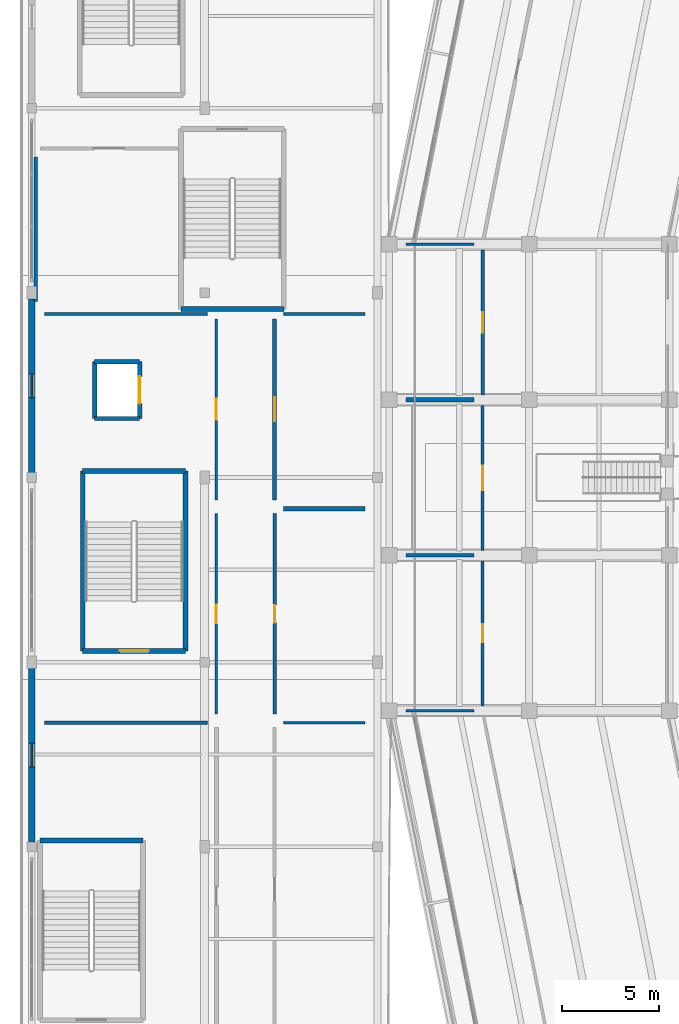
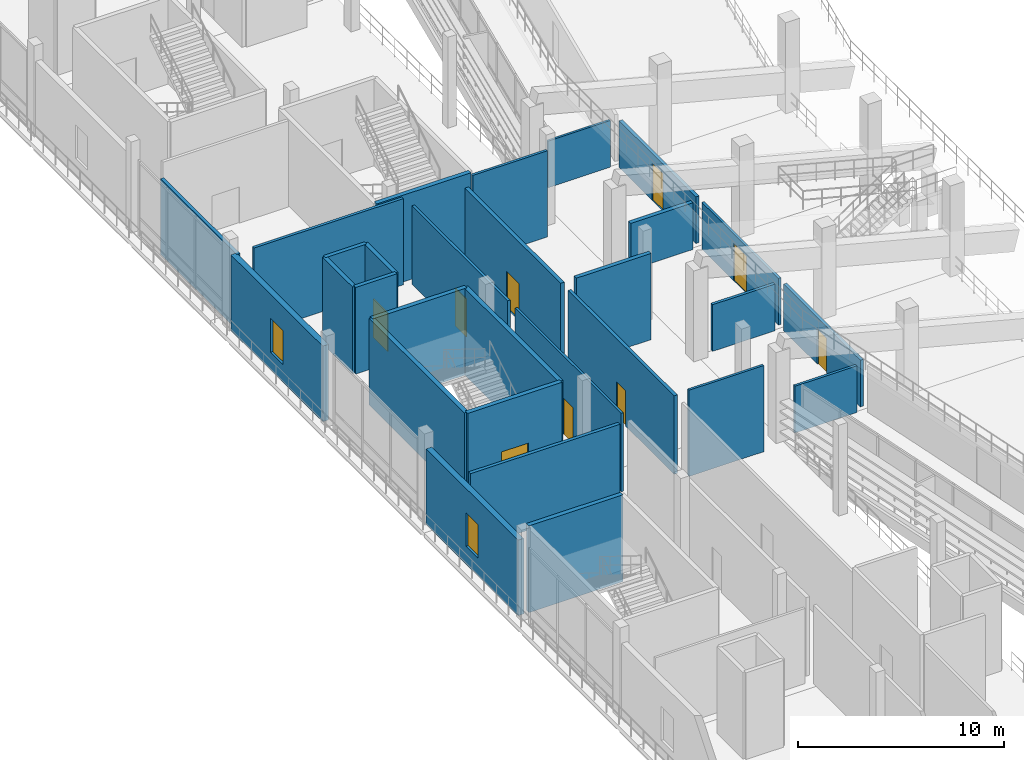
# One storey, part 62 of 96: 29 walls, 9 doors, 2 windows, 11 openings.
"""IFC4 building model written with IfcOpenShell, lengths in metres."""

import ifcopenshell
import ifcopenshell.guid

model = None  # the IFC model being written
_history = None  # IfcOwnerHistory: only IFC2X3 demands one
_inside = {}  # id of a spatial element -> (the spatial element, [elements in it])
_under = {}  # id of a project, library or spatial element -> (it, [spatial elements below it])
_declared = {}  # id of a project -> (the project, [libraries it declares])
_typed = {}  # id of a type object -> (the type object, [elements of that type])
_made_of = {}  # id of a material, layer set ... -> (it, [elements and type objects made of it])


def new_model(schema):
    """Start an empty IFC model of exactly this schema.

    Asked for "IFC4X3", IfcOpenShell would pick the latest addendum, in which some entities
    have other attributes; the version numbers below select the first issue.
    IFC2X3 requires an IfcOwnerHistory on every rooted entity: one is made here for all.
    """
    global model, _history
    if schema == "IFC4X3":
        model = ifcopenshell.file(schema_version=(4, 3, 0, 0))
    else:
        model = ifcopenshell.file(schema=schema)
    _inside.clear()
    _under.clear()
    _declared.clear()
    _typed.clear()
    _made_of.clear()
    _history = None
    if model.schema == "IFC2X3":
        org = make("IfcOrganization", Name="unknown")
        user = make(
            "IfcPersonAndOrganization",
            ThePerson=make("IfcPerson", FamilyName="unknown"),
            TheOrganization=org,
        )
        app = make(
            "IfcApplication",
            ApplicationDeveloper=org,
            Version="unknown",
            ApplicationFullName="unknown",
            ApplicationIdentifier="unknown",
        )
        _history = make(
            "IfcOwnerHistory",
            OwningUser=user,
            OwningApplication=app,
            ChangeAction="ADDED",
            CreationDate=0,
        )
    return model


def make(cls, **values):
    """One entity of the class cls with the attributes given. An attribute that is None is left unset."""
    return model.create_entity(
        cls, **{name: value for name, value in values.items() if value is not None}
    )


def rooted(cls, **values):
    """An entity with a GlobalId (a new one), such as an element, a storey or a relation."""
    return make(cls, GlobalId=ifcopenshell.guid.new(), OwnerHistory=_history, **values)


def si_unit(unit_type, name, prefix=None):
    """IfcSIUnit, for example si_unit("LENGTHUNIT", "METRE", prefix="MILLI")."""
    return make("IfcSIUnit", UnitType=unit_type, Prefix=prefix, Name=name)


def assignment(units):
    """IfcUnitAssignment: the units of a project."""
    return None if units is None else make("IfcUnitAssignment", Units=units)


def point(xyz):
    """IfcCartesianPoint."""
    return None if xyz is None else make("IfcCartesianPoint", Coordinates=xyz)


def direction(xyz):
    """IfcDirection."""
    return None if xyz is None else make("IfcDirection", DirectionRatios=xyz)


def frame(location, z_axis=None, x_axis=None):
    """IfcAxis2Placement3D, a coordinate frame: its origin and axes. An axis left out is left unset."""
    return make(
        "IfcAxis2Placement3D",
        Location=point(location),
        Axis=direction(z_axis),
        RefDirection=direction(x_axis),
    )


def frame_2d(location, x_axis=None):
    """IfcAxis2Placement2D, a coordinate frame in the plane: its origin and x axis."""
    return make(
        "IfcAxis2Placement2D", Location=point(location), RefDirection=direction(x_axis)
    )


def origin():
    """The frame at (0, 0, 0) with its axes left unset."""
    return frame((0.0, 0.0, 0.0))


def place(relative_to, where):
    """IfcLocalPlacement: puts the frame where relative to a parent placement (None: the world)."""
    return make(
        "IfcLocalPlacement", PlacementRelTo=relative_to, RelativePlacement=where
    )


def context(
    kind, dimensions, precision=None, world=None, true_north=None, identifier=None
):
    """IfcGeometricRepresentationContext, for example the 3D "Model" context."""
    return make(
        "IfcGeometricRepresentationContext",
        ContextIdentifier=identifier,
        ContextType=kind,
        CoordinateSpaceDimension=dimensions,
        Precision=precision,
        WorldCoordinateSystem=world,
        TrueNorth=true_north,
    )


def subcontext(parent, identifier, kind, view, scale=None):
    """IfcGeometricRepresentationSubContext, for example "Body" below "Model"."""
    return make(
        "IfcGeometricRepresentationSubContext",
        ContextIdentifier=identifier,
        ContextType=kind,
        ParentContext=parent,
        TargetScale=scale,
        TargetView=view,
    )


def project(units=None, contexts=None):
    """IfcProject with its units and contexts."""
    return rooted(
        "IfcProject",
        Name="project",
        RepresentationContexts=contexts,
        UnitsInContext=assignment(units),
    )


def spatial(cls, under=None, at=None, **own):
    """A site, building, storey or space (cls), placed at a placement, below another one or the project."""
    s = rooted(cls, ObjectPlacement=at, **own)
    if under is not None:
        _under.setdefault(under.id(), (under, []))[1].append(s)
    return s


def profile(cls, at=None, kind="AREA", **sizes):
    """A parametric profile (cls). Its sizes go by their IFC names, for example OverallWidth=200.0."""
    return make(cls, ProfileType=kind, Position=at, **sizes)


def rectangle(**sizes):
    """IfcRectangleProfileDef."""
    return profile("IfcRectangleProfileDef", **sizes)


def extrude(swept, where, along, depth):
    """IfcExtrudedAreaSolid: the profile swept, set in the frame where, extruded along a direction by depth."""
    return make(
        "IfcExtrudedAreaSolid",
        SweptArea=swept,
        Position=where,
        ExtrudedDirection=direction(along),
        Depth=depth,
    )


def shape(context_of_items, identifier, shape_type, items):
    """IfcShapeRepresentation: the items that make up one representation, for example the "Body"."""
    return make(
        "IfcShapeRepresentation",
        ContextOfItems=context_of_items,
        RepresentationIdentifier=identifier,
        RepresentationType=shape_type,
        Items=items,
    )


def material(Name=None, Category=None):
    """IfcMaterial."""
    return make("IfcMaterial", Name=Name, Category=Category)


def layer(
    of_material, thickness, ventilated=None, Name=None, Category=None, Priority=None
):
    """IfcMaterialLayer: one layer of a wall or slab, of a material (None: an air gap)."""
    return make(
        "IfcMaterialLayer",
        Material=of_material,
        LayerThickness=thickness,
        IsVentilated=ventilated,
        Name=Name,
        Category=Category,
        Priority=Priority,
    )


def layer_set(layers, Name=None):
    """IfcMaterialLayerSet."""
    return make("IfcMaterialLayerSet", MaterialLayers=layers, LayerSetName=Name)


def made_of(thing, what):
    """Note that an element or type object is made of a material, layer set ...; save() writes the relation."""
    if what is not None:
        _made_of.setdefault(what.id(), (what, []))[1].append(thing)
    return thing


def type_object(cls, material=None, **own):
    """A type object (cls), such as IfcWallType, which elements share."""
    return made_of(rooted(cls, **own), material)


def element(
    cls,
    number,
    at=None,
    inside=None,
    cuts=None,
    type_object=None,
    material=None,
    context=None,
    identifier="Body",
    shape_type=None,
    held_by="IfcProductDefinitionShape",
    body=None,
    shapes=None,
    **own,
):
    """One element of the class cls, such as IfcWall. Its Tag is "e" and its number.

    at: its placement. inside: the storey or other place that contains it. cuts: it is an
    opening in that element (IfcRelVoidsElement). A single representation is given by context,
    identifier, shape_type and body (its items); several are given by shapes. held_by: the class
    of the entity that holds the representations. save() writes the other relations.
    """
    e = rooted(cls, Tag="e%d" % number, ObjectPlacement=at, **own)
    if body is not None:
        shapes = [shape(context, identifier, shape_type, body)]
    if shapes is not None:
        e.Representation = make(held_by, Representations=shapes)
    if inside is not None:
        _inside.setdefault(inside.id(), (inside, []))[1].append(e)
    if cuts is not None:
        rooted(
            "IfcRelVoidsElement", RelatingBuildingElement=cuts, RelatedOpeningElement=e
        )
    if type_object is not None:
        _typed.setdefault(type_object.id(), (type_object, []))[1].append(e)
    return made_of(e, material)


def fill(opening, filler):
    """IfcRelFillsElement: the door or window that sits in an opening."""
    return rooted(
        "IfcRelFillsElement",
        RelatingOpeningElement=opening,
        RelatedBuildingElement=filler,
    )


def aggregate(whole, parts):
    """IfcRelAggregates: a whole, such as a stair, and the parts it consists of."""
    return rooted("IfcRelAggregates", RelatingObject=whole, RelatedObjects=parts)


def save(model, path):
    """Write the relations noted so far, then the file.

    IfcRelAggregates (storeys below a building ...), IfcRelContainedInSpatialStructure (elements
    in a storey), IfcRelDefinesByType, IfcRelAssociatesMaterial and IfcRelDeclares: one each for
    every whole, place, type object, material and project.
    """
    for whole, parts in _under.values():
        aggregate(whole, parts)
    for where, things in _inside.values():
        rooted(
            "IfcRelContainedInSpatialStructure",
            RelatedElements=things,
            RelatingStructure=where,
        )
    for kind, things in _typed.values():
        rooted("IfcRelDefinesByType", RelatedObjects=things, RelatingType=kind)
    for what, things in _made_of.values():
        rooted("IfcRelAssociatesMaterial", RelatedObjects=things, RelatingMaterial=what)
    for by, libraries in _declared.values():
        rooted("IfcRelDeclares", RelatingContext=by, RelatedDefinitions=libraries)
    model.write(path)


model = new_model("IFC4")

# Units and contexts
model_context = context("Model", 3, precision=1e-05, world=origin(), true_north=direction((0.0, 1.0)))
body_context = subcontext(model_context, "Body", "Model", "MODEL_VIEW")
ifc_project = project(units=[si_unit("LENGTHUNIT", "METRE"), si_unit("AREAUNIT", "SQUARE_METRE"), si_unit("VOLUMEUNIT", "CUBIC_METRE"), si_unit("PLANEANGLEUNIT", "RADIAN"), si_unit("MASSUNIT", "GRAM", prefix="KILO")], contexts=[model_context])

# Site, building, storey
site_placement = place(None, origin())
site = spatial("IfcSite", under=ifc_project, at=site_placement, CompositionType="ELEMENT")
building_placement = place(site_placement, origin())
building = spatial("IfcBuilding", under=site, at=building_placement, Name="Candeia Ridge Stadium", CompositionType="ELEMENT")
storey_placement = place(building_placement, frame((0.0, 0.0, 21.60009765625)))
storey = spatial("IfcBuildingStorey", under=building, at=storey_placement, Name="L04", CompositionType="ELEMENT", Elevation=21.60009765625)

# Walls
ifc_material_1 = material(Name="Gypsum Metal-Stud Partition", Category="gypsum")
ifc_layer_1 = layer(ifc_material_1, 0.14501953125, Name="Gypsum Metal-Stud Partition", Category="gypsum")
ifc_layer_set_1 = layer_set([ifc_layer_1], Name="Gypsum Metal-Stud Partition")
wall_type_1 = type_object("IfcWallType", Name="Athlete Recovery Partition 145", PredefinedType="PARTITIONING", material=ifc_layer_set_1)
wall_1_placement = place(storey_placement, frame((13.550048828125, 91.416015625, 0.0), z_axis=(0.0, 0.0, 1.0), x_axis=(1.0, 0.0, 0.0)))
element("IfcWall", 1, at=wall_1_placement, inside=storey, type_object=wall_type_1, Name="Demising partition PT-L04-0637", PredefinedType="PARTITIONING", context=body_context, shape_type="SweptSolid", body=[
    extrude(rectangle(XDim=4.199951171875, YDim=0.14501953125, at=frame_2d((2.10009765625, 0.0))), origin(), (0.0, 0.0, 1.0), 5.119873046875),
])
wall_2_placement = place(storey_placement, frame((23.35009765625, 71.0, 0.0), z_axis=(0.0, 0.0, 1.0), x_axis=(-1.0, 0.0, 0.0)))
element("IfcWall", 2, at=wall_2_placement, inside=storey, type_object=wall_type_1, Name="Demising partition PT-L04-0651", PredefinedType="PARTITIONING", context=body_context, shape_type="SweptSolid", body=[
    extrude(rectangle(XDim=3.5, YDim=0.14501953125, at=frame_2d((1.75, 0.0))), origin(), (0.0, 0.0, 1.0), 2.772216796875),
])
ifc_material_2 = material(Name="Gypsum Acoustic Twin-Stud Assembly", Category="gypsum")
ifc_layer_2 = layer(ifc_material_2, 0.159912109375, Name="Gypsum Acoustic Twin-Stud Assembly", Category="gypsum")
ifc_layer_set_2 = layer_set([ifc_layer_2], Name="Gypsum Acoustic Twin-Stud Assembly")
wall_type_2 = type_object("IfcWallType", Name="Club Dining Acoustic Partition 160", PredefinedType="PARTITIONING", material=ifc_layer_set_2)
wall_3_placement = place(storey_placement, frame((1.25, 91.416015625, 0.0), z_axis=(0.0, 0.0, 1.0), x_axis=(1.0, 0.0, 0.0)))
element("IfcWall", 3, at=wall_3_placement, inside=storey, type_object=wall_type_2, Name="Demising partition PT-L04-0635", PredefinedType="PARTITIONING", context=body_context, shape_type="SweptSolid", body=[
    extrude(rectangle(XDim=8.39990234375, YDim=0.159912109375, at=frame_2d((4.199951171875, 0.0))), origin(), (0.0, 0.0, 1.0), 5.119873046875),
])
wall_4_placement = place(storey_placement, frame((23.35009765625, 79.0, 0.0), z_axis=(0.0, 0.0, 1.0), x_axis=(-1.0, 0.0, 0.0)))
element("IfcWall", 4, at=wall_4_placement, inside=storey, type_object=wall_type_2, Name="Demising partition PT-L04-0649", PredefinedType="PARTITIONING", context=body_context, shape_type="SweptSolid", body=[
    extrude(rectangle(XDim=3.5, YDim=0.159912109375, at=frame_2d((1.75, 0.0))), origin(), (0.0, 0.0, 1.0), 2.772216796875),
])

# Wall, opening, door
ifc_material_3 = material(Name="Concrete Masonry Blockwork C25/30", Category="masonry")
ifc_layer_3 = layer(ifc_material_3, 0.14990234375, Name="Concrete Masonry Blockwork C25/30", Category="masonry")
ifc_layer_set_3 = layer_set([ifc_layer_3], Name="Concrete Masonry Blockwork C25/30")
wall_type_3 = type_object("IfcWallType", Name="Concourse Kiosk Partition 150", PredefinedType="PARTITIONING", material=ifc_layer_set_3)
wall_5_placement = place(storey_placement, frame((10.10009765625, 91.166015625, 0.0), z_axis=(0.0, 0.0, 1.0), x_axis=(0.0, -1.0, 0.0)))
wall_5 = element("IfcWall", 5, at=wall_5_placement, inside=storey, type_object=wall_type_3, Name="Interior partition PT-L04-0634", PredefinedType="PARTITIONING", context=body_context, shape_type="SweptSolid", body=[
    extrude(rectangle(XDim=9.319091796875, YDim=0.14990234375, at=frame_2d((4.65966796875, 0.0))), origin(), (0.0, 0.0, 1.0), 4.666015625),
])
opening_1_placement = place(wall_5_placement, frame((4.119384765625, 0.0, 0.0)))
opening_1 = element("IfcOpeningElement", 6, at=opening_1_placement, cuts=wall_5, Name="Opening ID08", PredefinedType="OPENING", context=body_context, shape_type="SweptSolid", body=[
    extrude(rectangle(XDim=1.080078125, YDim=2.25, at=frame_2d((0.5400390625, 1.125))), frame((0.0, 0.0849609375, 0.0), z_axis=(0.0, -1.0, 0.0), x_axis=(1.0, 0.0, 0.0)), (0.0, 0.0, 1.0), 0.169921875),
])
ifc_material_4 = material(Name="Western Red Cedar Acoustic Veneer", Category="wood")
door_type_1 = type_object("IfcDoorType", Name="Executive Skybox Entry Door 1080x2250", OperationType="NOTDEFINED", PredefinedType="DOOR", material=ifc_material_4)
door_1_placement = place(opening_1_placement, origin())
door_1 = element("IfcDoor", 7, at=door_1_placement, inside=storey, type_object=door_type_1, Name="Interior room door D-L04-0326", OperationType="SINGLE_SWING_LEFT", OverallHeight=2.25, OverallWidth=1.080078125, PredefinedType="DOOR", context=body_context, shape_type="SweptSolid", body=[
    extrude(rectangle(XDim=1.080078125, YDim=2.25, at=frame_2d((0.5400390625, 1.125))), frame((0.0, 0.02490234375, 0.0), z_axis=(0.0, -1.0, 0.0), x_axis=(1.0, 0.0, 0.0)), (0.0, 0.0, 1.0), 0.050048828125),
])
fill(opening_1, door_1)

# Walls
ifc_material_5 = material(Name="Concrete C40/50", Category="concrete")
ifc_layer_4 = layer(ifc_material_5, 0.25, Name="Concrete C40/50", Category="concrete")
ifc_layer_set_4 = layer_set([ifc_layer_4], Name="Concrete C40/50")
wall_type_4 = type_object("IfcWallType", Name="Core Shear Wall Concrete 250", PredefinedType="SHEAR", material=ifc_layer_set_4)
wall_6_placement = place(storey_placement, frame((6.32470703125, 64.32470703125, 0.0), z_axis=(0.0, 0.0, 1.0), x_axis=(-1.0, 0.0, 0.0)))
element("IfcWall", 8, at=wall_6_placement, inside=storey, type_object=wall_type_4, Name="Core C05 far shear wall L04", PredefinedType="SHEAR", context=body_context, shape_type="SweptSolid", body=[
    extrude(rectangle(XDim=5.29931640625, YDim=0.25, at=frame_2d((2.649658203125, 0.0))), origin(), (0.0, 0.0, 1.0), 5.14990234375),
])
wall_7_placement = place(storey_placement, frame((8.524658203125, 74.075439453125, 0.0), z_axis=(0.0, 0.0, 1.0), x_axis=(0.0, 1.0, 0.0)))
element("IfcWall", 9, at=wall_7_placement, inside=storey, type_object=wall_type_4, Name="Core C07 left shear wall L04", PredefinedType="SHEAR", context=body_context, shape_type="SweptSolid", body=[
    extrude(rectangle(XDim=9.249267578125, YDim=0.25, at=frame_2d((4.62451171875, 0.0))), origin(), (0.0, 0.0, 1.0), 5.14990234375),
])
wall_8_placement = place(storey_placement, frame((8.524658203125, 83.32470703125, 0.0), z_axis=(0.0, 0.0, 1.0), x_axis=(-1.0, 0.0, 0.0)))
element("IfcWall", 10, at=wall_8_placement, inside=storey, type_object=wall_type_4, Name="Core C07 far shear wall L04", PredefinedType="SHEAR", context=body_context, shape_type="SweptSolid", body=[
    extrude(rectangle(XDim=5.29931640625, YDim=0.25, at=frame_2d((2.649658203125, 0.0))), origin(), (0.0, 0.0, 1.0), 5.14990234375),
])
wall_9_placement = place(storey_placement, frame((3.225341796875, 83.32470703125, 0.0), z_axis=(0.0, 0.0, 1.0), x_axis=(0.0, -1.0, 0.0)))
element("IfcWall", 11, at=wall_9_placement, inside=storey, type_object=wall_type_4, Name="Core C07 right shear wall L04", PredefinedType="SHEAR", context=body_context, shape_type="SweptSolid", body=[
    extrude(rectangle(XDim=9.249267578125, YDim=0.25, at=frame_2d((4.62451171875, 0.0))), origin(), (0.0, 0.0, 1.0), 5.14990234375),
])

# Wall, opening, door
wall_10_placement = place(storey_placement, frame((3.225341796875, 74.075439453125, 0.0), z_axis=(0.0, 0.0, 1.0), x_axis=(1.0, 0.0, 0.0)))
wall_10 = element("IfcWall", 12, at=wall_10_placement, inside=storey, type_object=wall_type_4, Name="Core C07 near shear wall L04", PredefinedType="SHEAR", context=body_context, shape_type="SweptSolid", body=[
    extrude(rectangle(XDim=5.29931640625, YDim=0.25, at=frame_2d((2.649658203125, 0.0))), origin(), (0.0, 0.0, 1.0), 5.14990234375),
])
opening_2_placement = place(wall_10_placement, frame((1.899658203125, 0.0, 0.0)))
opening_2 = element("IfcOpeningElement", 13, at=opening_2_placement, cuts=wall_10, Name="Opening FD01", PredefinedType="OPENING", context=body_context, shape_type="SweptSolid", body=[
    extrude(rectangle(XDim=1.5, YDim=2.199951171875, at=frame_2d((0.75, 1.10009765625))), frame((0.0, 0.135009765625, 0.0), z_axis=(0.0, -1.0, 0.0), x_axis=(1.0, 0.0, 0.0)), (0.0, 0.0, 1.0), 0.27001953125),
])
ifc_material_6 = material(Name="Galvanized Fire-Rated Steel", Category="steel")
door_type_2 = type_object("IfcDoorType", Name="Exit Stair Core Fire Door 1500x2200", OperationType="NOTDEFINED", PredefinedType="DOOR", material=ifc_material_6)
door_2_placement = place(opening_2_placement, origin())
door_2 = element("IfcDoor", 14, at=door_2_placement, inside=storey, type_object=door_type_2, Name="Exit stair fire door SD-ST07-L04", OperationType="DOUBLE_DOOR_SINGLE_SWING", OverallHeight=2.199951171875, OverallWidth=1.5, PredefinedType="DOOR", context=body_context, shape_type="SweptSolid", body=[
    extrude(rectangle(XDim=1.5, YDim=2.199951171875, at=frame_2d((0.75, 1.10009765625))), frame((0.0, 0.02490234375, 0.0), z_axis=(0.0, -1.0, 0.0), x_axis=(1.0, 0.0, 0.0)), (0.0, 0.0, 1.0), 0.050048828125),
])
fill(opening_2, door_2)

# Wall
wall_11_placement = place(storey_placement, frame((8.275390625, 91.67529296875, 0.0), z_axis=(0.0, 0.0, 1.0), x_axis=(1.0, 0.0, 0.0)))
element("IfcWall", 15, at=wall_11_placement, inside=storey, type_object=wall_type_4, Name="Core C08 far shear wall L04", PredefinedType="SHEAR", context=body_context, shape_type="SweptSolid", body=[
    extrude(rectangle(XDim=5.29931640625, YDim=0.25, at=frame_2d((2.649658203125, 0.0))), origin(), (0.0, 0.0, 1.0), 5.14990234375),
])

# Wall, opening, door
ifc_layer_5 = layer(ifc_material_2, 0.179931640625, Name="Gypsum Acoustic Twin-Stud Assembly", Category="gypsum")
ifc_layer_set_5 = layer_set([ifc_layer_5], Name="Gypsum Acoustic Twin-Stud Assembly")
wall_type_5 = type_object("IfcWallType", Name="Corridor Fire Partition 180", PredefinedType="PARTITIONING", material=ifc_layer_set_5)
wall_12_placement = place(storey_placement, frame((13.10009765625, 70.825927734375, 0.0), z_axis=(0.0, 0.0, 1.0), x_axis=(0.0, 1.0, 0.0)))
wall_12 = element("IfcWall", 16, at=wall_12_placement, inside=storey, type_object=wall_type_5, Name="Interior partition PT-L04-0632", PredefinedType="PARTITIONING", context=body_context, shape_type="SweptSolid", body=[
    extrude(rectangle(XDim=10.321044921875, YDim=0.179931640625, at=frame_2d((5.16064453125, 0.0))), origin(), (0.0, 0.0, 1.0), 4.666015625),
])
opening_3_placement = place(wall_12_placement, frame((4.71044921875, 0.0, 0.0)))
opening_3 = element("IfcOpeningElement", 17, at=opening_3_placement, cuts=wall_12, Name="Opening ID07", PredefinedType="OPENING", context=body_context, shape_type="SweptSolid", body=[
    extrude(rectangle(XDim=0.89990234375, YDim=2.10009765625, at=frame_2d((0.449951171875, 1.050048828125))), frame((0.0, 0.099853515625, 0.0), z_axis=(0.0, -1.0, 0.0), x_axis=(1.0, 0.0, 0.0)), (0.0, 0.0, 1.0), 0.199951171875),
])
ifc_material_7 = material(Name="Moisture-Resistant Laminate", Category="wood")
door_type_3 = type_object("IfcDoorType", Name="Sanitary Lobby Single Door 900x2100", OperationType="NOTDEFINED", PredefinedType="DOOR", material=ifc_material_7)
door_3_placement = place(opening_3_placement, frame((0.89990234375, 0.0, 0.0), z_axis=(0.0, 0.0, 1.0), x_axis=(-1.0, 0.0, 0.0)))
door_3 = element("IfcDoor", 18, at=door_3_placement, inside=storey, type_object=door_type_3, Name="Interior room door D-L04-0325", OperationType="SINGLE_SWING_RIGHT", OverallHeight=2.10009765625, OverallWidth=0.89990234375, PredefinedType="DOOR", context=body_context, shape_type="SweptSolid", body=[
    extrude(rectangle(XDim=0.89990234375, YDim=2.10009765625, at=frame_2d((0.449951171875, 1.050048828125))), frame((0.0, 0.02490234375, 0.0), z_axis=(0.0, -1.0, 0.0), x_axis=(1.0, 0.0, 0.0)), (0.0, 0.0, 1.0), 0.050048828125),
])
fill(opening_3, door_3)

wall_13_placement = place(storey_placement, frame((23.800048828125, 94.7099609375, 0.0), z_axis=(0.0, 0.0, 1.0), x_axis=(0.0, -1.0, 0.0)))
wall_13 = element("IfcWall", 19, at=wall_13_placement, inside=storey, type_object=wall_type_5, Name="Interior partition PT-L04-0646", PredefinedType="PARTITIONING", context=body_context, shape_type="SweptSolid", body=[
    extrude(rectangle(XDim=7.4599609375, YDim=0.179931640625, at=frame_2d((3.72998046875, 0.0))), origin(), (0.0, 0.0, 1.0), 2.772216796875),
])
opening_4_placement = place(wall_13_placement, frame((3.205078125, 0.0, 0.0)))
opening_4 = element("IfcOpeningElement", 20, at=opening_4_placement, cuts=wall_13, Name="Opening ID01", PredefinedType="OPENING", context=body_context, shape_type="SweptSolid", body=[
    extrude(rectangle(XDim=1.050048828125, YDim=2.199951171875, at=frame_2d((0.52490234375, 1.10009765625))), frame((0.0, 0.099853515625, 0.0), z_axis=(0.0, -1.0, 0.0), x_axis=(1.0, 0.0, 0.0)), (0.0, 0.0, 1.0), 0.199951171875),
])
door_type_4 = type_object("IfcDoorType", Name="Hospitality Suite Entrance Door 1050x2200", OperationType="NOTDEFINED", PredefinedType="DOOR", material=ifc_material_4)
door_4_placement = place(opening_4_placement, origin())
door_4 = element("IfcDoor", 21, at=door_4_placement, inside=storey, type_object=door_type_4, Name="Interior room door D-L04-0332", OperationType="SINGLE_SWING_RIGHT", OverallHeight=2.199951171875, OverallWidth=1.050048828125, PredefinedType="DOOR", context=body_context, shape_type="SweptSolid", body=[
    extrude(rectangle(XDim=1.050048828125, YDim=2.199951171875, at=frame_2d((0.52490234375, 1.10009765625))), frame((0.0, 0.02490234375, 0.0), z_axis=(0.0, -1.0, 0.0), x_axis=(1.0, 0.0, 0.0)), (0.0, 0.0, 1.0), 0.050048828125),
])
fill(opening_4, door_4)

# Walls
ifc_material_8 = material(Name="Moisture-Resistant Masonry & Tile", Category="masonry")
ifc_layer_6 = layer(ifc_material_8, 0.22998046875, Name="Moisture-Resistant Masonry & Tile", Category="masonry")
ifc_layer_set_6 = layer_set([ifc_layer_6], Name="Moisture-Resistant Masonry & Tile")
wall_type_6 = type_object("IfcWallType", Name="Dressing Suite Wet-Wall Chase 230", PredefinedType="PLUMBINGWALL", material=ifc_layer_set_6)
wall_14_placement = place(storey_placement, frame((13.550048828125, 81.39697265625, 0.0), z_axis=(0.0, 0.0, 1.0), x_axis=(1.0, 0.0, 0.0)))
element("IfcWall", 22, at=wall_14_placement, inside=storey, type_object=wall_type_6, Name="Demising partition PT-L04-0633", PredefinedType="PLUMBINGWALL", context=body_context, shape_type="SweptSolid", body=[
    extrude(rectangle(XDim=4.199951171875, YDim=0.22998046875, at=frame_2d((2.10009765625, 0.0))), origin(), (0.0, 0.0, 1.0), 5.119873046875),
])
wall_15_placement = place(storey_placement, frame((23.35009765625, 87.0, 0.0), z_axis=(0.0, 0.0, 1.0), x_axis=(-1.0, 0.0, 0.0)))
element("IfcWall", 23, at=wall_15_placement, inside=storey, type_object=wall_type_6, Name="Demising partition PT-L04-0647", PredefinedType="PLUMBINGWALL", context=body_context, shape_type="SweptSolid", body=[
    extrude(rectangle(XDim=3.5, YDim=0.22998046875, at=frame_2d((1.75, 0.0))), origin(), (0.0, 0.0, 1.0), 2.772216796875),
])

# Wall, opening, window
ifc_material_9 = material(Name="Concrete C35/45", Category="concrete")
ifc_layer_7 = layer(ifc_material_9, 0.320068359375, Name="Concrete C35/45", Category="concrete")
ifc_layer_set_7 = layer_set([ifc_layer_7], Name="Concrete C35/45")
wall_type_7 = type_object("IfcWallType", Name="Exterior Cedar-Clad Insulated Wall 320", PredefinedType="SOLIDWALL", material=ifc_layer_set_7)
wall_16_placement = place(storey_placement, frame((0.60009765625, 64.238037109375, 0.0), z_axis=(0.0, 0.0, 1.0), x_axis=(0.0, 1.0, 0.0)))
wall_16 = element("IfcWall", 24, at=wall_16_placement, inside=storey, type_object=wall_type_7, Name="Exterior facade wall EW-L04-0101", PredefinedType="SOLIDWALL", context=body_context, shape_type="SweptSolid", body=[
    extrude(rectangle(XDim=8.948974609375, YDim=0.320068359375, at=frame_2d((4.474609375, 0.0))), origin(), (0.0, 0.0, 1.0), 4.48486328125),
])
opening_5_placement = place(wall_16_placement, frame((3.87451171875, 0.0, 1.050048828125)))
opening_5 = element("IfcOpeningElement", 25, at=opening_5_placement, cuts=wall_16, Name="Opening W16", PredefinedType="OPENING", context=body_context, shape_type="SweptSolid", body=[
    extrude(rectangle(XDim=1.199951171875, YDim=2.0, at=frame_2d((0.60009765625, 1.0))), frame((0.0, 0.169921875, 0.0), z_axis=(0.0, -1.0, 0.0), x_axis=(1.0, 0.0, 0.0)), (0.0, 0.0, 1.0), 0.340087890625),
])
ifc_material_10 = material(Name="Tempered Solar-Control Double Glazing", Category="glass")
window_type = type_object("IfcWindowType", Name="Stair Core Daylight Window 1200x2000", PartitioningType="SINGLE_PANEL", PredefinedType="WINDOW", material=ifc_material_10)
window_1_placement = place(opening_5_placement, origin())
window_1 = element("IfcWindow", 26, at=window_1_placement, inside=storey, type_object=window_type, Name="Exterior window WIN-L04-054", OverallHeight=2.0, OverallWidth=1.199951171875, PartitioningType="SINGLE_PANEL", PredefinedType="WINDOW", context=body_context, shape_type="SweptSolid", body=[
    extrude(rectangle(XDim=1.199951171875, YDim=2.0, at=frame_2d((0.60009765625, 1.0))), frame((0.0, 0.030029296875, 0.0), z_axis=(0.0, -1.0, 0.0), x_axis=(1.0, 0.0, 0.0)), (0.0, 0.0, 1.0), 0.06005859375),
])
fill(opening_5, window_1)

wall_17_placement = place(storey_placement, frame((0.60009765625, 83.238037109375, 0.0), z_axis=(0.0, 0.0, 1.0), x_axis=(0.0, 1.0, 0.0)))
wall_17 = element("IfcWall", 27, at=wall_17_placement, inside=storey, type_object=wall_type_7, Name="Exterior facade wall EW-L04-0102", PredefinedType="SOLIDWALL", context=body_context, shape_type="SweptSolid", body=[
    extrude(rectangle(XDim=8.948974609375, YDim=0.320068359375, at=frame_2d((4.474609375, 0.0))), origin(), (0.0, 0.0, 1.0), 4.48486328125),
])
opening_6_placement = place(wall_17_placement, frame((3.87451171875, 0.0, 1.050048828125)))
opening_6 = element("IfcOpeningElement", 28, at=opening_6_placement, cuts=wall_17, Name="Opening W16", PredefinedType="OPENING", context=body_context, shape_type="SweptSolid", body=[
    extrude(rectangle(XDim=1.199951171875, YDim=2.0, at=frame_2d((0.60009765625, 1.0))), frame((0.0, 0.169921875, 0.0), z_axis=(0.0, -1.0, 0.0), x_axis=(1.0, 0.0, 0.0)), (0.0, 0.0, 1.0), 0.340087890625),
])
window_2_placement = place(opening_6_placement, origin())
window_2 = element("IfcWindow", 29, at=window_2_placement, inside=storey, type_object=window_type, Name="Exterior window WIN-L04-055", OverallHeight=2.0, OverallWidth=1.199951171875, PartitioningType="SINGLE_PANEL", PredefinedType="WINDOW", context=body_context, shape_type="SweptSolid", body=[
    extrude(rectangle(XDim=1.199951171875, YDim=2.0, at=frame_2d((0.60009765625, 1.0))), frame((0.0, 0.030029296875, 0.0), z_axis=(0.0, -1.0, 0.0), x_axis=(1.0, 0.0, 0.0)), (0.0, 0.0, 1.0), 0.06005859375),
])
fill(opening_6, window_2)

# Wall
ifc_layer_8 = layer(ifc_material_1, 0.135009765625, Name="Gypsum Metal-Stud Partition", Category="gypsum")
ifc_layer_set_8 = layer_set([ifc_layer_8], Name="Gypsum Metal-Stud Partition")
wall_type_8 = type_object("IfcWallType", Name="General Room Partition 135", PredefinedType="PARTITIONING", material=ifc_layer_set_8)
wall_18_placement = place(storey_placement, frame((13.550048828125, 70.3759765625, 0.0), z_axis=(0.0, 0.0, 1.0), x_axis=(1.0, 0.0, 0.0)))
element("IfcWall", 30, at=wall_18_placement, inside=storey, type_object=wall_type_8, Name="Demising partition PT-L04-0630", PredefinedType="PARTITIONING", context=body_context, shape_type="SweptSolid", body=[
    extrude(rectangle(XDim=4.199951171875, YDim=0.135009765625, at=frame_2d((2.10009765625, 0.0))), origin(), (0.0, 0.0, 1.0), 5.119873046875),
])

# Wall, opening, door
wall_19_placement = place(storey_placement, frame((23.800048828125, 86.7099609375, 0.0), z_axis=(0.0, 0.0, 1.0), x_axis=(0.0, -1.0, 0.0)))
wall_19 = element("IfcWall", 31, at=wall_19_placement, inside=storey, type_object=wall_type_8, Name="Interior partition PT-L04-0648", PredefinedType="PARTITIONING", context=body_context, shape_type="SweptSolid", body=[
    extrude(rectangle(XDim=7.4599609375, YDim=0.135009765625, at=frame_2d((3.72998046875, 0.0))), origin(), (0.0, 0.0, 1.0), 2.772216796875),
])
opening_7_placement = place(wall_19_placement, frame((3.10498046875, 0.0, 0.0)))
opening_7 = element("IfcOpeningElement", 32, at=opening_7_placement, cuts=wall_19, Name="Opening ID11", PredefinedType="OPENING", context=body_context, shape_type="SweptSolid", body=[
    extrude(rectangle(XDim=1.25, YDim=2.199951171875, at=frame_2d((0.625, 1.10009765625))), frame((0.0, 0.077392578125, 0.0), z_axis=(0.0, -1.0, 0.0), x_axis=(1.0, 0.0, 0.0)), (0.0, 0.0, 1.0), 0.155029296875),
])
ifc_material_11 = material(Name="Acoustic Timber Studio Leaf", Category="wood")
door_type_5 = type_object("IfcDoorType", Name="Press Tribune Acoustic Door 1250x2200", OperationType="NOTDEFINED", PredefinedType="DOOR", material=ifc_material_11)
door_5_placement = place(opening_7_placement, frame((1.25, 0.0, 0.0), z_axis=(0.0, 0.0, 1.0), x_axis=(-1.0, 0.0, 0.0)))
door_5 = element("IfcDoor", 33, at=door_5_placement, inside=storey, type_object=door_type_5, Name="Interior room door D-L04-0333", OperationType="SINGLE_SWING_LEFT", OverallHeight=2.199951171875, OverallWidth=1.25, PredefinedType="DOOR", context=body_context, shape_type="SweptSolid", body=[
    extrude(rectangle(XDim=1.25, YDim=2.199951171875, at=frame_2d((0.625, 1.10009765625))), frame((0.0, 0.02490234375, 0.0), z_axis=(0.0, -1.0, 0.0), x_axis=(1.0, 0.0, 0.0)), (0.0, 0.0, 1.0), 0.050048828125),
])
fill(opening_7, door_5)

# Wall
ifc_layer_9 = layer(ifc_material_5, 0.219970703125, Name="Concrete C40/50", Category="concrete")
ifc_layer_set_9 = layer_set([ifc_layer_9], Name="Concrete C40/50")
wall_type_9 = type_object("IfcWallType", Name="Lift & Riser Shaft Wall 220", PredefinedType="SHEAR", material=ifc_layer_set_9)
wall_20_placement = place(storey_placement, frame((3.840087890625, 86.0400390625, 0.0), z_axis=(0.0, 0.0, 1.0), x_axis=(1.0, 0.0, 0.0)))
element("IfcWall", 34, at=wall_20_placement, inside=storey, type_object=wall_type_9, Name="Lift GL1 shaft wall L04 south", PredefinedType="SHEAR", context=body_context, shape_type="SweptSolid", body=[
    extrude(rectangle(XDim=2.31982421875, YDim=0.219970703125, at=frame_2d((1.159912109375, 0.0))), origin(), (0.0, 0.0, 1.0), 5.14990234375),
])

# Wall, opening, door
wall_21_placement = place(storey_placement, frame((6.159912109375, 86.0400390625, 0.0), z_axis=(0.0, 0.0, 1.0), x_axis=(0.0, 1.0, 0.0)))
wall_21 = element("IfcWall", 35, at=wall_21_placement, inside=storey, type_object=wall_type_9, Name="Lift GL1 shaft wall L04 east", PredefinedType="SHEAR", context=body_context, shape_type="SweptSolid", body=[
    extrude(rectangle(XDim=2.919921875, YDim=0.219970703125, at=frame_2d((1.4599609375, 0.0))), origin(), (0.0, 0.0, 1.0), 5.14990234375),
])
opening_8_placement = place(wall_21_placement, frame((0.760009765625, 0.0, 0.0)))
opening_8 = element("IfcOpeningElement", 36, at=opening_8_placement, cuts=wall_21, Name="Opening LD03", PredefinedType="OPENING", context=body_context, shape_type="SweptSolid", body=[
    extrude(rectangle(XDim=1.39990234375, YDim=2.300048828125, at=frame_2d((0.699951171875, 1.14990234375))), frame((0.0, 0.119873046875, 0.0), z_axis=(0.0, -1.0, 0.0), x_axis=(1.0, 0.0, 0.0)), (0.0, 0.0, 1.0), 0.239990234375),
])
ifc_material_12 = material(Name="Brushed Stainless Steel", Category="steel")
door_type_6 = type_object("IfcDoorType", Name="Goods Lift Landing Door 1400x2300", OperationType="NOTDEFINED", PredefinedType="DOOR", material=ifc_material_12)
door_6_placement = place(opening_8_placement, origin())
door_6 = element("IfcDoor", 37, at=door_6_placement, inside=storey, type_object=door_type_6, Name="Lift landing sliding door LD-GL1-L04", OperationType="DOUBLE_DOOR_SLIDING", OverallHeight=2.300048828125, OverallWidth=1.39990234375, PredefinedType="DOOR", context=body_context, shape_type="SweptSolid", body=[
    extrude(rectangle(XDim=1.39990234375, YDim=2.300048828125, at=frame_2d((0.699951171875, 1.14990234375))), frame((0.0, 0.02490234375, 0.0), z_axis=(0.0, -1.0, 0.0), x_axis=(1.0, 0.0, 0.0)), (0.0, 0.0, 1.0), 0.050048828125),
])
fill(opening_8, door_6)

# Walls
wall_22_placement = place(storey_placement, frame((6.159912109375, 88.9599609375, 0.0), z_axis=(0.0, 0.0, 1.0), x_axis=(-1.0, 0.0, 0.0)))
element("IfcWall", 38, at=wall_22_placement, inside=storey, type_object=wall_type_9, Name="Lift GL1 shaft wall L04 north", PredefinedType="SHEAR", context=body_context, shape_type="SweptSolid", body=[
    extrude(rectangle(XDim=2.31982421875, YDim=0.219970703125, at=frame_2d((1.159912109375, 0.0))), origin(), (0.0, 0.0, 1.0), 5.14990234375),
])
wall_23_placement = place(storey_placement, frame((3.840087890625, 88.9599609375, 0.0), z_axis=(0.0, 0.0, 1.0), x_axis=(0.0, -1.0, 0.0)))
element("IfcWall", 39, at=wall_23_placement, inside=storey, type_object=wall_type_9, Name="Lift GL1 shaft wall L04 west", PredefinedType="SHEAR", context=body_context, shape_type="SweptSolid", body=[
    extrude(rectangle(XDim=2.919921875, YDim=0.219970703125, at=frame_2d((1.4599609375, 0.0))), origin(), (0.0, 0.0, 1.0), 5.14990234375),
])
ifc_material_13 = material(Name="Gypsum Acoustic Triple-Board Wall", Category="gypsum")
ifc_layer_10 = layer(ifc_material_13, 0.18994140625, Name="Gypsum Acoustic Triple-Board Wall", Category="gypsum")
ifc_layer_set_10 = layer_set([ifc_layer_10], Name="Gypsum Acoustic Triple-Board Wall")
wall_type_10 = type_object("IfcWallType", Name="Media & Commentary Studio Wall 190", PredefinedType="PARTITIONING", material=ifc_layer_set_10)
wall_24_placement = place(storey_placement, frame((1.25, 70.3759765625, 0.0), z_axis=(0.0, 0.0, 1.0), x_axis=(1.0, 0.0, 0.0)))
element("IfcWall", 40, at=wall_24_placement, inside=storey, type_object=wall_type_10, Name="Demising partition PT-L04-0628", PredefinedType="PARTITIONING", context=body_context, shape_type="SweptSolid", body=[
    extrude(rectangle(XDim=8.39990234375, YDim=0.18994140625, at=frame_2d((4.199951171875, 0.0))), origin(), (0.0, 0.0, 1.0), 4.48486328125),
])
ifc_layer_11 = layer(ifc_material_13, 0.18505859375, Name="Gypsum Acoustic Triple-Board Wall", Category="gypsum")
ifc_layer_set_11 = layer_set([ifc_layer_11], Name="Gypsum Acoustic Triple-Board Wall")
wall_type_11 = type_object("IfcWallType", Name="Media Booth Studio Divider 185", PredefinedType="PARTITIONING", material=ifc_layer_set_11)
wall_25_placement = place(storey_placement, frame((0.800048828125, 92.06591796875, 0.0), z_axis=(0.0, 0.0, 1.0), x_axis=(0.0, 1.0, 0.0)))
element("IfcWall", 41, at=wall_25_placement, inside=storey, type_object=wall_type_11, Name="Demising partition PT-L04-0639", PredefinedType="PARTITIONING", context=body_context, shape_type="SweptSolid", body=[
    extrude(rectangle(XDim=7.4169921875, YDim=0.18505859375, at=frame_2d((3.70849609375, 0.0))), origin(), (0.0, 0.0, 1.0), 4.48486328125),
])

# Wall, opening, door
ifc_layer_12 = layer(ifc_material_2, 0.175048828125, Name="Gypsum Acoustic Twin-Stud Assembly", Category="gypsum")
ifc_layer_set_12 = layer_set([ifc_layer_12], Name="Gypsum Acoustic Twin-Stud Assembly")
wall_type_12 = type_object("IfcWallType", Name="Museum Acoustic Gallery Wall 175", PredefinedType="PARTITIONING", material=ifc_layer_set_12)
wall_26_placement = place(storey_placement, frame((23.800048828125, 78.7099609375, 0.0), z_axis=(0.0, 0.0, 1.0), x_axis=(0.0, -1.0, 0.0)))
wall_26 = element("IfcWall", 42, at=wall_26_placement, inside=storey, type_object=wall_type_12, Name="Interior partition PT-L04-0650", PredefinedType="PARTITIONING", context=body_context, shape_type="SweptSolid", body=[
    extrude(rectangle(XDim=7.4599609375, YDim=0.175048828125, at=frame_2d((3.72998046875, 0.0))), origin(), (0.0, 0.0, 1.0), 2.772216796875),
])
opening_9_placement = place(wall_26_placement, frame((3.27001953125, 0.0, 0.0)))
opening_9 = element("IfcOpeningElement", 43, at=opening_9_placement, cuts=wall_26, Name="Opening ID15", PredefinedType="OPENING", context=body_context, shape_type="SweptSolid", body=[
    extrude(rectangle(XDim=0.919921875, YDim=2.10009765625, at=frame_2d((0.4599609375, 1.050048828125))), frame((0.0, 0.097412109375, 0.0), z_axis=(0.0, -1.0, 0.0), x_axis=(1.0, 0.0, 0.0)), (0.0, 0.0, 1.0), 0.195068359375),
])
ifc_material_14 = material(Name="Powder-Coated Hollow Metal", Category="steel")
door_type_7 = type_object("IfcDoorType", Name="Concourse Store Single Door 920x2100", OperationType="NOTDEFINED", PredefinedType="DOOR", material=ifc_material_14)
door_7_placement = place(opening_9_placement, frame((0.919921875, 0.0, 0.0), z_axis=(0.0, 0.0, 1.0), x_axis=(-1.0, 0.0, 0.0)))
door_7 = element("IfcDoor", 44, at=door_7_placement, inside=storey, type_object=door_type_7, Name="Interior room door D-L04-0334", OperationType="SINGLE_SWING_RIGHT", OverallHeight=2.10009765625, OverallWidth=0.919921875, PredefinedType="DOOR", context=body_context, shape_type="SweptSolid", body=[
    extrude(rectangle(XDim=0.919921875, YDim=2.10009765625, at=frame_2d((0.4599609375, 1.050048828125))), frame((0.0, 0.02490234375, 0.0), z_axis=(0.0, -1.0, 0.0), x_axis=(1.0, 0.0, 0.0)), (0.0, 0.0, 1.0), 0.050048828125),
])
fill(opening_9, door_7)

ifc_layer_13 = layer(ifc_material_8, 0.2099609375, Name="Moisture-Resistant Masonry & Tile", Category="masonry")
ifc_layer_set_13 = layer_set([ifc_layer_13], Name="Moisture-Resistant Masonry & Tile")
wall_type_13 = type_object("IfcWallType", Name="Sanitary Wet-Wall Plumbing Chase 210", PredefinedType="PLUMBINGWALL", material=ifc_layer_set_13)
wall_27_placement = place(storey_placement, frame((13.10009765625, 81.846923828125, 0.0), z_axis=(0.0, 0.0, 1.0), x_axis=(0.0, 1.0, 0.0)))
wall_27 = element("IfcWall", 45, at=wall_27_placement, inside=storey, type_object=wall_type_13, Name="Interior partition PT-L04-0636", PredefinedType="PLUMBINGWALL", context=body_context, shape_type="SweptSolid", body=[
    extrude(rectangle(XDim=9.319091796875, YDim=0.2099609375, at=frame_2d((4.65966796875, 0.0))), origin(), (0.0, 0.0, 1.0), 4.666015625),
])
opening_10_placement = place(wall_27_placement, frame((4.034423828125, 0.0, 0.0)))
opening_10 = element("IfcOpeningElement", 46, at=opening_10_placement, cuts=wall_27, Name="Opening ID11", PredefinedType="OPENING", context=body_context, shape_type="SweptSolid", body=[
    extrude(rectangle(XDim=1.25, YDim=2.199951171875, at=frame_2d((0.625, 1.10009765625))), frame((0.0, 0.114990234375, 0.0), z_axis=(0.0, -1.0, 0.0), x_axis=(1.0, 0.0, 0.0)), (0.0, 0.0, 1.0), 0.22998046875),
])
door_8_placement = place(opening_10_placement, origin())
door_8 = element("IfcDoor", 47, at=door_8_placement, inside=storey, type_object=door_type_5, Name="Interior room door D-L04-0327", OperationType="SINGLE_SWING_RIGHT", OverallHeight=2.199951171875, OverallWidth=1.25, PredefinedType="DOOR", context=body_context, shape_type="SweptSolid", body=[
    extrude(rectangle(XDim=1.25, YDim=2.199951171875, at=frame_2d((0.625, 1.10009765625))), frame((0.0, 0.02490234375, 0.0), z_axis=(0.0, -1.0, 0.0), x_axis=(1.0, 0.0, 0.0)), (0.0, 0.0, 1.0), 0.050048828125),
])
fill(opening_10, door_8)

# Wall
ifc_layer_14 = layer(ifc_material_1, 0.1201171875, Name="Gypsum Metal-Stud Partition", Category="gypsum")
ifc_layer_set_14 = layer_set([ifc_layer_14], Name="Gypsum Metal-Stud Partition")
wall_type_14 = type_object("IfcWallType", Name="Suite Internal Divider 120", PredefinedType="PARTITIONING", material=ifc_layer_set_14)
wall_28_placement = place(storey_placement, frame((23.35009765625, 95.0, 0.0), z_axis=(0.0, 0.0, 1.0), x_axis=(-1.0, 0.0, 0.0)))
element("IfcWall", 48, at=wall_28_placement, inside=storey, type_object=wall_type_14, Name="Demising partition PT-L04-0645", PredefinedType="PARTITIONING", context=body_context, shape_type="SweptSolid", body=[
    extrude(rectangle(XDim=3.5, YDim=0.1201171875, at=frame_2d((1.75, 0.0))), origin(), (0.0, 0.0, 1.0), 2.772216796875),
])

# Wall, opening, door
ifc_layer_15 = layer(ifc_material_1, 0.1298828125, Name="Gypsum Metal-Stud Partition", Category="gypsum")
ifc_layer_set_15 = layer_set([ifc_layer_15], Name="Gypsum Metal-Stud Partition")
wall_type_15 = type_object("IfcWallType", Name="Ticketing Back-Office Partition 130", PredefinedType="PARTITIONING", material=ifc_layer_set_15)
wall_29_placement = place(storey_placement, frame((10.10009765625, 81.14697265625, 0.0), z_axis=(0.0, 0.0, 1.0), x_axis=(0.0, -1.0, 0.0)))
wall_29 = element("IfcWall", 49, at=wall_29_placement, inside=storey, type_object=wall_type_15, Name="Interior partition PT-L04-0631", PredefinedType="PARTITIONING", context=body_context, shape_type="SweptSolid", body=[
    extrude(rectangle(XDim=10.321044921875, YDim=0.1298828125, at=frame_2d((5.16064453125, 0.0))), origin(), (0.0, 0.0, 1.0), 4.666015625),
])
opening_11_placement = place(wall_29_placement, frame((4.685546875, 0.0, 0.0)))
opening_11 = element("IfcOpeningElement", 50, at=opening_11_placement, cuts=wall_29, Name="Opening ID05", PredefinedType="OPENING", context=body_context, shape_type="SweptSolid", body=[
    extrude(rectangle(XDim=0.949951171875, YDim=2.14990234375, at=frame_2d((0.47509765625, 1.074951171875))), frame((0.0, 0.074951171875, 0.0), z_axis=(0.0, -1.0, 0.0), x_axis=(1.0, 0.0, 0.0)), (0.0, 0.0, 1.0), 0.14990234375),
])
ifc_material_15 = material(Name="Solid Core Cedar Veneer", Category="wood")
door_type_8 = type_object("IfcDoorType", Name="General Room Single Door 950x2150", OperationType="NOTDEFINED", PredefinedType="DOOR", material=ifc_material_15)
door_9_placement = place(opening_11_placement, frame((0.949951171875, 0.0, 0.0), z_axis=(0.0, 0.0, 1.0), x_axis=(-1.0, 0.0, 0.0)))
door_9 = element("IfcDoor", 51, at=door_9_placement, inside=storey, type_object=door_type_8, Name="Interior room door D-L04-0324", OperationType="SINGLE_SWING_LEFT", OverallHeight=2.14990234375, OverallWidth=0.949951171875, PredefinedType="DOOR", context=body_context, shape_type="SweptSolid", body=[
    extrude(rectangle(XDim=0.949951171875, YDim=2.14990234375, at=frame_2d((0.47509765625, 1.074951171875))), frame((0.0, 0.02490234375, 0.0), z_axis=(0.0, -1.0, 0.0), x_axis=(1.0, 0.0, 0.0)), (0.0, 0.0, 1.0), 0.050048828125),
])
fill(opening_11, door_9)

save(model, "model.ifc")
